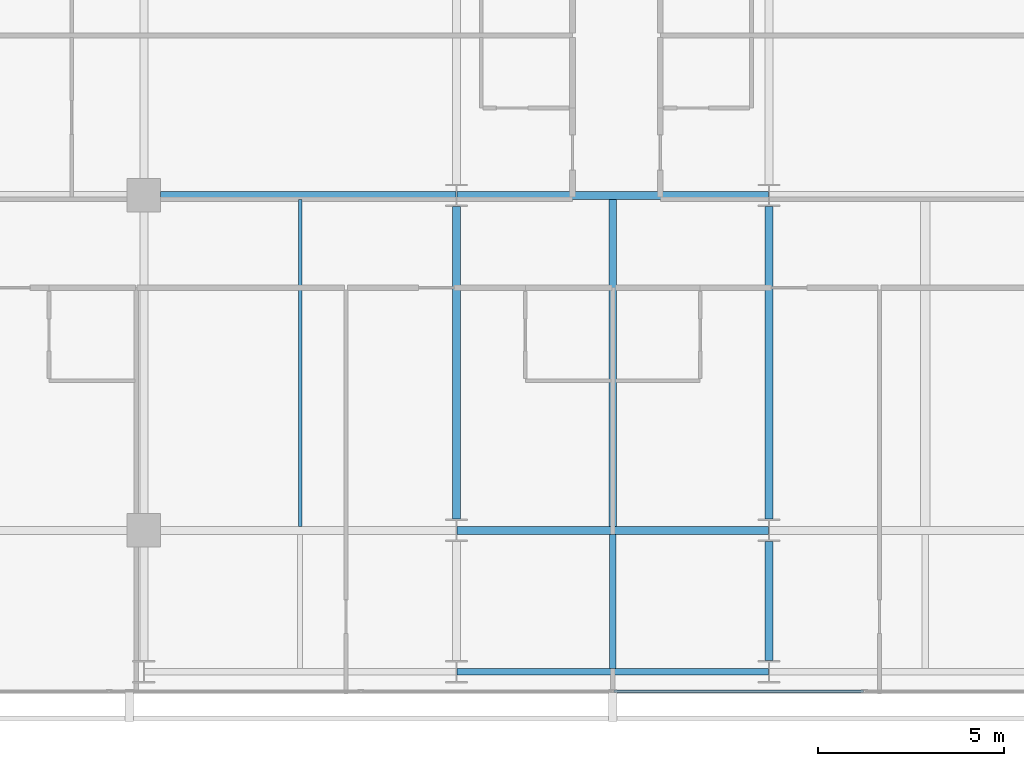
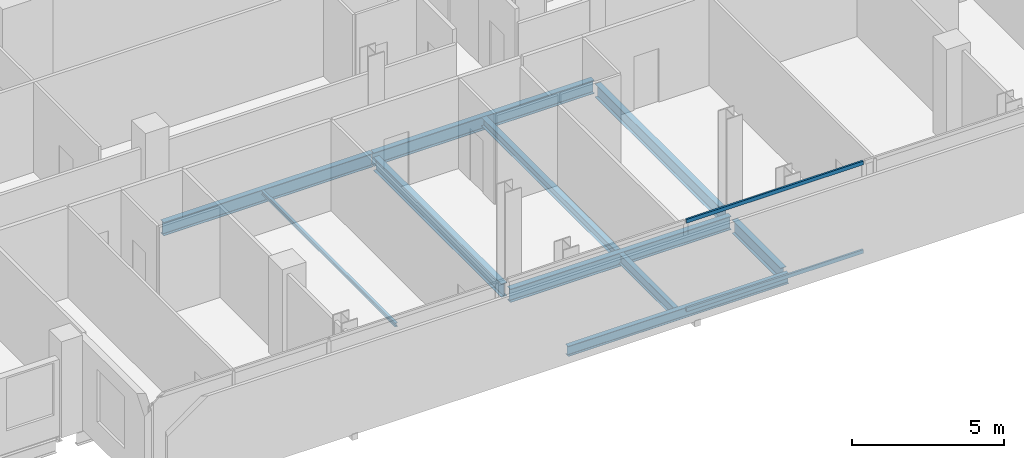
# One storey, part 7 of 34: 10 beams, 2 members, 1 element without a shape of its own.
"""IFC4 building model written with IfcOpenShell, lengths in metres."""

from ifc_helpers import new_model, si_unit, direction, frame, origin, origin_2d, place, context, subcontext, project, spatial, hollow_rectangle, i_section, extrude, material, layer, layer_set, material_profile, profile_set, type_object, element, aggregate, save


model = new_model("IFC4")

# Units and contexts
model_context = context("Model", 3, precision=1e-05, world=origin(), true_north=direction((0.0, 1.0)))
body_context = subcontext(model_context, "Body", "Model", "MODEL_VIEW")
ifc_project = project(units=[si_unit("LENGTHUNIT", "METRE"), si_unit("AREAUNIT", "SQUARE_METRE"), si_unit("VOLUMEUNIT", "CUBIC_METRE"), si_unit("PLANEANGLEUNIT", "RADIAN"), si_unit("MASSUNIT", "GRAM", prefix="KILO")], contexts=[model_context])

# Site, building, storey
site_placement = place(None, origin())
site = spatial("IfcSite", under=ifc_project, at=site_placement, CompositionType="ELEMENT")
building_placement = place(site_placement, origin())
building = spatial("IfcBuilding", under=site, at=building_placement, Name="Maruvema Waterfront Hotel and Observation Tower", CompositionType="ELEMENT")
storey_placement = place(building_placement, frame((0.0, 0.0, 215.949951171875)))
storey = spatial("IfcBuildingStorey", under=building, at=storey_placement, Name="L53", CompositionType="ELEMENT", Elevation=215.949951171875)

# Curtain wall, members
ifc_material_1 = material(Name="Anodised bronze aluminium and solar-control low-E IGU", Category="aluminium")
ifc_layer = layer(ifc_material_1, 0.159912109375, Name="Zone 2 Amber Inner Thermal Curtain Wall System CW-03")
ifc_layer_set = layer_set([ifc_layer], Name="Anodised bronze aluminium and solar-control low-E IGU")
curtain_wall_type = type_object("IfcCurtainWallType", Name="Zone 2 Amber Inner Thermal Curtain Wall System CW-03", PredefinedType="USERDEFINED", material=ifc_layer_set)
curtain_wall_placement = place(storey_placement, origin())
curtain_wall = element("IfcCurtainWall", 1, at=curtain_wall_placement, inside=storey, type_object=curtain_wall_type, Name="L53 Curtain Wall CW-L53-S", ObjectType="UNITISED CURTAIN WALL", PredefinedType="USERDEFINED")
ifc_material_2 = material(Name="Anodised architectural bronze aluminium", Category="aluminium")
ifc_material_profile_1 = material_profile(ifc_material_2, hollow_rectangle(XDim=0.070068359375, YDim=0.14990234375, WallThickness=0.00390625, at=origin_2d()), Name="ALU-T70x150")
ifc_profile_set_1 = profile_set([ifc_material_profile_1], Name="Anodised architectural bronze aluminium")
member_type = type_object("IfcMemberType", Name="Curtain Wall Horizontal Transom ALU-T70x150", PredefinedType="USERDEFINED", material=ifc_profile_set_1)
member_1_placement = place(storey_placement, frame((37.830078125, 4.679931640625, 0.030029296875), z_axis=(1.0, 0.0, 0.0), x_axis=(0.0, 1.0, 0.0)))
member_1 = element("IfcMember", 2, at=member_1_placement, type_object=member_type, Name="CW-03 transom 4.1", ObjectType="TRANSOM", PredefinedType="USERDEFINED", context=body_context, shape_type="SweptSolid", body=[
    extrude(hollow_rectangle(XDim=0.070068359375, YDim=0.14990234375, WallThickness=0.00390625, at=origin_2d()), origin(), (0.0, 0.0, 1.0), 6.70654296875),
])
member_2_placement = place(storey_placement, frame((37.830078125, 4.679931640625, 3.580078125), z_axis=(1.0, 0.0, 0.0), x_axis=(0.0, 1.0, 0.0)))
member_2 = element("IfcMember", 3, at=member_2_placement, type_object=member_type, Name="CW-03 transom 4.2", ObjectType="TRANSOM", PredefinedType="USERDEFINED", context=body_context, shape_type="SweptSolid", body=[
    extrude(hollow_rectangle(XDim=0.070068359375, YDim=0.14990234375, WallThickness=0.00390625, at=origin_2d()), origin(), (0.0, 0.0, 1.0), 6.70654296875),
])
aggregate(curtain_wall, [member_1, member_2])

# Beams
ifc_material_3 = material(Name="Steel ASTM A572 Grade 50", Category="steel")
ifc_material_profile_2 = material_profile(ifc_material_3, i_section(OverallWidth=0.178955078125, OverallDepth=0.409912109375, WebThickness=0.0087890625, FlangeThickness=0.014404296875, FilletRadius=0.014892578125, at=origin_2d()), Name="W410x67.0")
ifc_profile_set_2 = profile_set([ifc_material_profile_2], Name="Steel ASTM A572 Grade 50")
beam_type_1 = type_object("IfcBeamType", Name="Perimeter Spandrel Beam W410x67.0", PredefinedType="SPANDREL", material=ifc_profile_set_2)
beam_1_placement = place(storey_placement, frame((33.612548828125, 5.199951171875, -0.445068359375), z_axis=(1.0, 0.0, 0.0), x_axis=(0.0, 1.0, 0.0)))
element("IfcBeam", 4, at=beam_1_placement, inside=storey, type_object=beam_type_1, Name="L53 Floor Girder EW-02", PredefinedType="SPANDREL", context=body_context, shape_type="SweptSolid", body=[
    extrude(i_section(OverallWidth=0.178955078125, OverallDepth=0.409912109375, WebThickness=0.0087890625, FlangeThickness=0.014404296875, FilletRadius=0.014892578125, at=origin_2d()), origin(), (0.0, 0.0, 1.0), 8.375),
])
ifc_material_4 = material(Name="Steel ASTM A572 Grade 50", Category="steel")
ifc_material_profile_3 = material_profile(ifc_material_4, i_section(OverallWidth=0.2109375, OverallDepth=0.5390625, WebThickness=0.01171875, FlangeThickness=0.018798828125, FilletRadius=0.014892578125, at=origin_2d()), Name="W530x109.0")
ifc_profile_set_3 = profile_set([ifc_material_profile_3], Name="Steel ASTM A572 Grade 50")
beam_type_2 = type_object("IfcBeamType", Name="Primary Floor Girder W530x109.0", PredefinedType="BEAM", material=ifc_profile_set_3)
beam_2_placement = place(storey_placement, frame((33.612548828125, 9.0, -0.509521484375), z_axis=(1.0, 0.0, 0.0), x_axis=(0.0, 1.0, 0.0)))
element("IfcBeam", 5, at=beam_2_placement, inside=storey, type_object=beam_type_2, Name="L53 Floor Girder EW-07", PredefinedType="BEAM", context=body_context, shape_type="SweptSolid", body=[
    extrude(i_section(OverallWidth=0.2109375, OverallDepth=0.5390625, WebThickness=0.01171875, FlangeThickness=0.018798828125, FilletRadius=0.014892578125, at=origin_2d()), origin(), (0.0, 0.0, 1.0), 8.375),
])
beam_3_placement = place(storey_placement, frame((25.64990234375, 18.0, -0.509521484375), z_axis=(1.0, 0.0, 0.0), x_axis=(0.0, 1.0, 0.0)))
element("IfcBeam", 6, at=beam_3_placement, inside=storey, type_object=beam_type_2, Name="L53 Floor Girder EW-13", PredefinedType="BEAM", context=body_context, shape_type="SweptSolid", body=[
    extrude(i_section(OverallWidth=0.2109375, OverallDepth=0.5390625, WebThickness=0.01171875, FlangeThickness=0.018798828125, FilletRadius=0.014892578125, at=origin_2d()), origin(), (0.0, 0.0, 1.0), 7.9375),
])
beam_4_placement = place(storey_placement, frame((33.612548828125, 18.0, -0.509521484375), z_axis=(1.0, 0.0, 0.0), x_axis=(0.0, 1.0, 0.0)))
element("IfcBeam", 7, at=beam_4_placement, inside=storey, type_object=beam_type_2, Name="L53 Floor Girder EW-14", PredefinedType="BEAM", context=body_context, shape_type="SweptSolid", body=[
    extrude(i_section(OverallWidth=0.2109375, OverallDepth=0.5390625, WebThickness=0.01171875, FlangeThickness=0.018798828125, FilletRadius=0.014892578125, at=origin_2d()), origin(), (0.0, 0.0, 1.0), 8.375),
])
beam_5_placement = place(storey_placement, frame((33.60009765625, 9.300048828125, -0.509521484375), z_axis=(0.0, 1.0, 0.0), x_axis=(-1.0, 0.0, 0.0)))
element("IfcBeam", 8, at=beam_5_placement, inside=storey, type_object=beam_type_2, Name="L53 Floor Girder NS-15", PredefinedType="BEAM", context=body_context, shape_type="SweptSolid", body=[
    extrude(i_section(OverallWidth=0.2109375, OverallDepth=0.5390625, WebThickness=0.01171875, FlangeThickness=0.018798828125, FilletRadius=0.014892578125, at=origin_2d()), origin(), (0.0, 0.0, 1.0), 8.39990234375),
])
beam_6_placement = place(storey_placement, frame((42.0, 5.5, -0.509521484375), z_axis=(0.0, 1.0, 0.0), x_axis=(-1.0, 0.0, 0.0)))
element("IfcBeam", 9, at=beam_6_placement, inside=storey, type_object=beam_type_2, Name="L53 Floor Girder NS-17", PredefinedType="BEAM", context=body_context, shape_type="SweptSolid", body=[
    extrude(i_section(OverallWidth=0.2109375, OverallDepth=0.5390625, WebThickness=0.01171875, FlangeThickness=0.018798828125, FilletRadius=0.014892578125, at=origin_2d()), origin(), (0.0, 0.0, 1.0), 3.199951171875),
])
beam_7_placement = place(storey_placement, frame((42.0, 9.300048828125, -0.509521484375), z_axis=(0.0, 1.0, 0.0), x_axis=(-1.0, 0.0, 0.0)))
element("IfcBeam", 10, at=beam_7_placement, inside=storey, type_object=beam_type_2, Name="L53 Floor Girder NS-18", PredefinedType="BEAM", context=body_context, shape_type="SweptSolid", body=[
    extrude(i_section(OverallWidth=0.2109375, OverallDepth=0.5390625, WebThickness=0.01171875, FlangeThickness=0.018798828125, FilletRadius=0.014892578125, at=origin_2d()), origin(), (0.0, 0.0, 1.0), 8.39990234375),
])
ifc_material_5 = material(Name="Steel ASTM A572 Grade 50", Category="steel")
ifc_material_profile_4 = material_profile(ifc_material_5, i_section(OverallWidth=0.10009765625, OverallDepth=0.153076171875, WebThickness=0.005859375, FlangeThickness=0.007080078125, FilletRadius=0.008056640625, at=origin_2d()), Name="W150x18.0")
ifc_profile_set_4 = profile_set([ifc_material_profile_4], Name="Steel ASTM A572 Grade 50")
beam_type_3 = type_object("IfcBeamType", Name="Secondary Floor Joist W150x18.0", PredefinedType="JOIST", material=ifc_profile_set_4)
beam_8_placement = place(storey_placement, frame((29.39990234375, 9.10546875, -0.31640625), z_axis=(0.0, 1.0, 0.0), x_axis=(-1.0, 0.0, 0.0)))
element("IfcBeam", 11, at=beam_8_placement, inside=storey, type_object=beam_type_3, Name="L53 Secondary Floor Joist JS-06", PredefinedType="JOIST", context=body_context, shape_type="SweptSolid", body=[
    extrude(i_section(OverallWidth=0.10009765625, OverallDepth=0.153076171875, WebThickness=0.005859375, FlangeThickness=0.007080078125, FilletRadius=0.008056640625, at=origin_2d()), origin(), (0.0, 0.0, 1.0), 8.7890625),
])
ifc_material_6 = material(Name="Steel ASTM A572 Grade 50", Category="steel")
ifc_material_profile_5 = material_profile(ifc_material_6, i_section(OverallWidth=0.202880859375, OverallDepth=0.346923828125, WebThickness=0.0078125, FlangeThickness=0.013427734375, FilletRadius=0.014892578125, at=origin_2d()), Name="W360x64.0")
ifc_profile_set_5 = profile_set([ifc_material_profile_5], Name="Steel ASTM A572 Grade 50")
beam_type_4 = type_object("IfcBeamType", Name="Secondary Floor Joist W360x64.0", PredefinedType="JOIST", material=ifc_profile_set_5)
beam_9_placement = place(storey_placement, frame((37.800048828125, 9.10546875, -0.413330078125), z_axis=(0.0, 1.0, 0.0), x_axis=(-1.0, 0.0, 0.0)))
element("IfcBeam", 12, at=beam_9_placement, inside=storey, type_object=beam_type_4, Name="L53 Secondary Floor Joist JS-08", PredefinedType="JOIST", context=body_context, shape_type="SweptSolid", body=[
    extrude(i_section(OverallWidth=0.202880859375, OverallDepth=0.346923828125, WebThickness=0.0078125, FlangeThickness=0.013427734375, FilletRadius=0.014892578125, at=origin_2d()), origin(), (0.0, 0.0, 1.0), 8.7890625),
])
ifc_material_7 = material(Name="Steel ASTM A572 Grade 50", Category="steel")
ifc_material_profile_6 = material_profile(ifc_material_7, i_section(OverallWidth=0.177001953125, OverallDepth=0.403076171875, WebThickness=0.007568359375, FlangeThickness=0.010986328125, FilletRadius=0.014892578125, at=origin_2d()), Name="W410x53.0")
ifc_profile_set_6 = profile_set([ifc_material_profile_6], Name="Steel ASTM A572 Grade 50")
beam_type_5 = type_object("IfcBeamType", Name="Secondary Floor Joist W410x53.0", PredefinedType="JOIST", material=ifc_profile_set_6)
beam_10_placement = place(storey_placement, frame((37.800048828125, 5.28955078125, -0.44140625), z_axis=(0.0, 1.0, 0.0), x_axis=(-1.0, 0.0, 0.0)))
element("IfcBeam", 13, at=beam_10_placement, inside=storey, type_object=beam_type_5, Name="L53 Secondary Floor Joist JS-07", PredefinedType="JOIST", context=body_context, shape_type="SweptSolid", body=[
    extrude(i_section(OverallWidth=0.177001953125, OverallDepth=0.403076171875, WebThickness=0.007568359375, FlangeThickness=0.010986328125, FilletRadius=0.014892578125, at=origin_2d()), origin(), (0.0, 0.0, 1.0), 3.60498046875),
])

save(model, "model.ifc")
